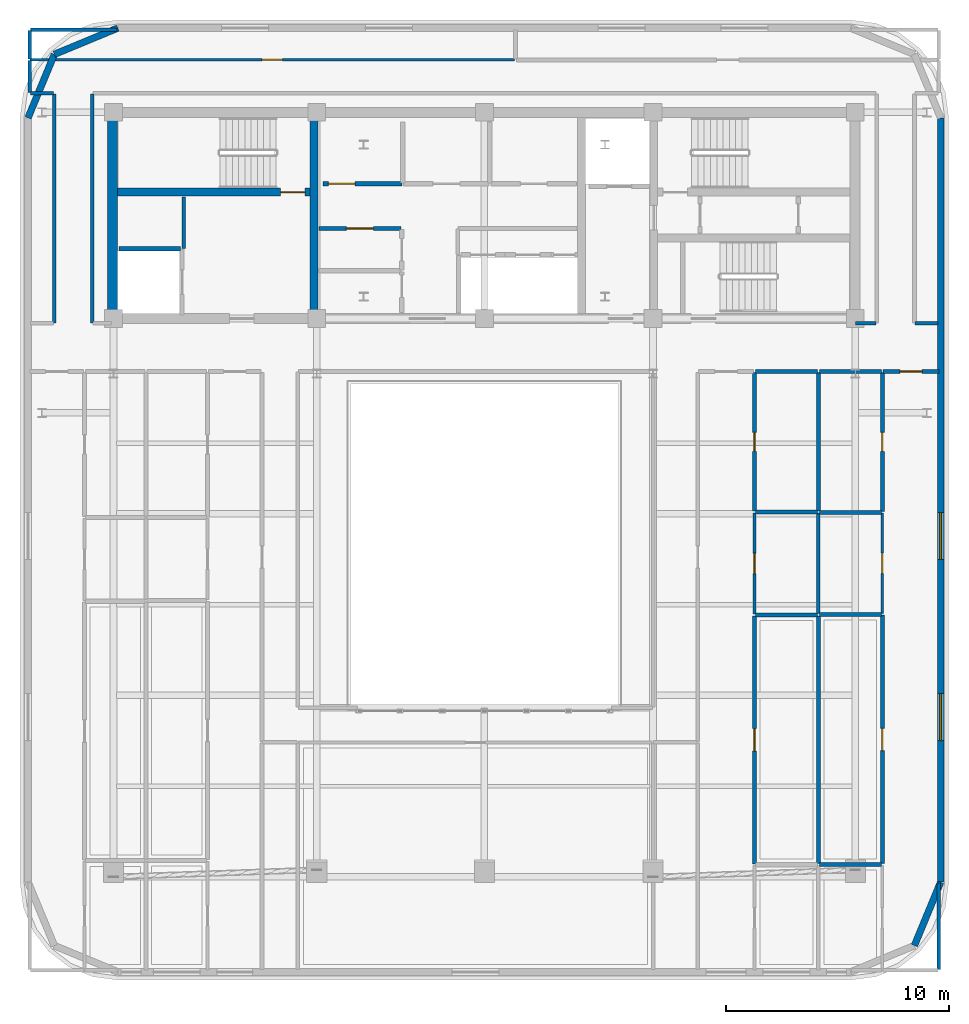
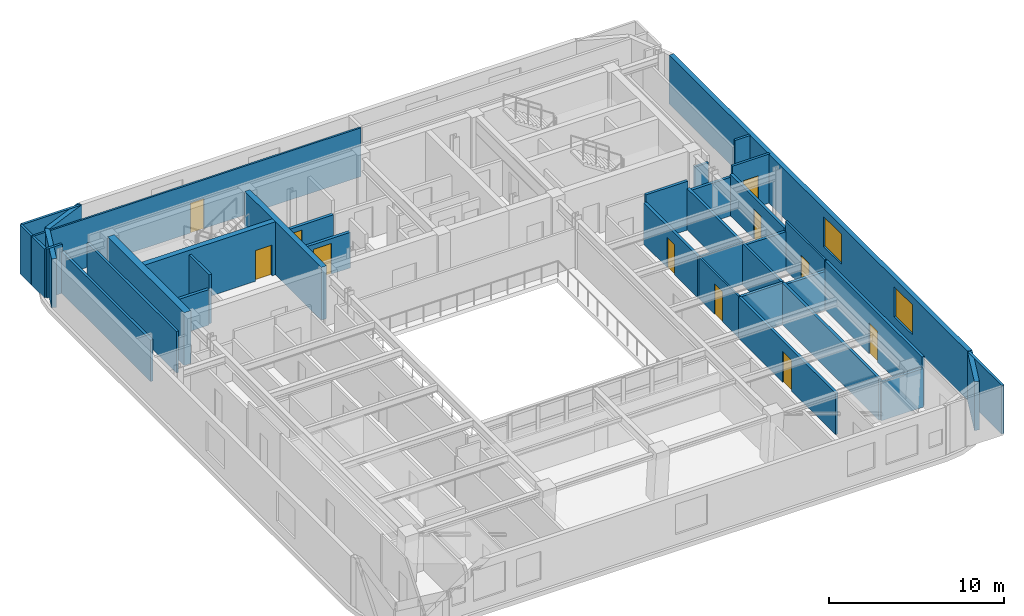
# One storey, part 8 of 13: 38 walls, 11 doors, 2 windows, 13 openings.
"""IFC4 building model written with IfcOpenShell, lengths in metres."""

from ifc_helpers import new_model, si_unit, direction, frame, frame_2d, origin, place, context, subcontext, project, spatial, rectangle, extrude, material, layer, layer_set, type_object, element, fill, save


model = new_model("IFC4")

# Units and contexts
model_context = context("Model", 3, precision=1e-05, world=origin(), true_north=direction((0.0, 1.0)))
body_context = subcontext(model_context, "Body", "Model", "MODEL_VIEW")
ifc_project = project(units=[si_unit("LENGTHUNIT", "METRE"), si_unit("AREAUNIT", "SQUARE_METRE"), si_unit("VOLUMEUNIT", "CUBIC_METRE"), si_unit("PLANEANGLEUNIT", "RADIAN"), si_unit("MASSUNIT", "GRAM", prefix="KILO")], contexts=[model_context])

# Site, building, storey
site_placement = place(None, origin())
site = spatial("IfcSite", under=ifc_project, at=site_placement, CompositionType="ELEMENT")
building_placement = place(site_placement, origin())
building = spatial("IfcBuilding", under=site, at=building_placement, Name="Zarnavel Station Tower", CompositionType="ELEMENT")
storey_placement = place(building_placement, frame((0.0, 0.0, 254.699951171875)))
storey = spatial("IfcBuildingStorey", under=building, at=storey_placement, Name="L69", CompositionType="ELEMENT", Elevation=254.699951171875)

# Wall
ifc_material_1 = material(Name="Concrete C50/60", Category="concrete")
ifc_layer_1 = layer(ifc_material_1, 0.35009765625)
ifc_layer_set_1 = layer_set([ifc_layer_1], Name="CW_350")
wall_type_1 = type_object("IfcWallType", Name="CW_350", PredefinedType="SHEAR", material=ifc_layer_set_1)
wall_1_placement = place(storey_placement, frame((21.179931640625, 28.044921875, 0.0), z_axis=(0.0, 0.0, 1.0), x_axis=(0.0, 1.0, 0.0)))
element("IfcWall", 1, at=wall_1_placement, inside=storey, type_object=wall_type_1, Name="L69 Rear Core Shear Wall DIV-W", PredefinedType="SHEAR", context=body_context, shape_type="SweptSolid", body=[
    extrude(rectangle(XDim=8.780029296875, YDim=0.35009765625, at=frame_2d((4.39013671875, 0.0))), origin(), (0.0, 0.0, 1.0), 3.699951171875),
])

# Wall, opening, door
wall_2_placement = place(storey_placement, frame((21.0048828125, 33.47998046875, 0.0), z_axis=(0.0, 0.0, 1.0), x_axis=(-1.0, 0.0, 0.0)))
wall_2 = element("IfcWall", 2, at=wall_2_placement, inside=storey, type_object=wall_type_1, Name="L69 Rear Core Shear Wall DIV-H1", PredefinedType="SHEAR", context=body_context, shape_type="SweptSolid", body=[
    extrude(rectangle(XDim=8.6298828125, YDim=0.35009765625, at=frame_2d((4.31494140625, 0.0))), origin(), (0.0, 0.0, 1.0), 3.699951171875),
])
opening_1_placement = place(wall_2_placement, frame((0.219970703125, 0.0, 0.0)))
opening_1 = element("IfcOpeningElement", 3, at=opening_1_placement, cuts=wall_2, Name="Opening FD01", PredefinedType="OPENING", context=body_context, shape_type="SweptSolid", body=[
    extrude(rectangle(XDim=1.10009765625, YDim=2.14990234375, at=frame_2d((0.550048828125, 1.074951171875))), frame((0.0, 0.18505859375, 0.0), z_axis=(0.0, -1.0, 0.0), x_axis=(1.0, 0.0, 0.0)), (0.0, 0.0, 1.0), 0.3701171875),
])
ifc_material_2 = material(Name="Painted Galvanised Steel and Hardwood Leaf", Category="steel")
door_type_1 = type_object("IfcDoorType", Name="ID_STAIR_1100", OperationType="NOTDEFINED", PredefinedType="DOOR", material=ifc_material_2)
door_1_placement = place(opening_1_placement, origin())
door_1 = element("IfcDoor", 4, at=door_1_placement, inside=storey, type_object=door_type_1, Name="L69 Stair ST1 Lobby Fire Door", OperationType="SINGLE_SWING_LEFT", OverallHeight=2.14990234375, OverallWidth=1.10009765625, PredefinedType="DOOR", context=body_context, shape_type="SweptSolid", body=[
    extrude(rectangle(XDim=1.10009765625, YDim=2.14990234375, at=frame_2d((0.550048828125, 1.074951171875))), frame((0.0, 0.02490234375, 0.0), z_axis=(0.0, -1.0, 0.0), x_axis=(1.0, 0.0, 0.0)), (0.0, 0.0, 1.0), 0.050048828125),
])
fill(opening_1, door_1)

# Walls
ifc_material_3 = material(Name="Concrete C50/60", Category="concrete")
ifc_layer_2 = layer(ifc_material_3, 0.449951171875)
ifc_layer_set_2 = layer_set([ifc_layer_2], Name="CW_450")
wall_type_2 = type_object("IfcWallType", Name="CW_450", PredefinedType="SHEAR", material=ifc_layer_set_2)
wall_3_placement = place(storey_placement, frame((12.14990234375, 28.044921875, 0.0), z_axis=(0.0, 0.0, 1.0), x_axis=(0.0, 1.0, 0.0)))
element("IfcWall", 5, at=wall_3_placement, inside=storey, type_object=wall_type_2, Name="L69 Rear Core Shear Wall W", PredefinedType="SHEAR", context=body_context, shape_type="SweptSolid", body=[
    extrude(rectangle(XDim=8.780029296875, YDim=0.449951171875, at=frame_2d((4.39013671875, 0.0))), origin(), (0.0, 0.0, 1.0), 3.699951171875),
])
ifc_material_4 = material(Name="Precast concrete C45/55 (Dark Basalt Finish)", Category="masonry")
ifc_layer_3 = layer(ifc_material_4, 0.300048828125)
ifc_layer_set_3 = layer_set([ifc_layer_3], Name="EW_BASALT_300")
wall_type_3 = type_object("IfcWallType", Name="EW_BASALT_300", PredefinedType="SOLIDWALL", material=ifc_layer_set_3)
wall_4_placement = place(storey_placement, frame((49.219970703125, 2.60009765625, 0.0), z_axis=(0.0, 0.0, 1.0), x_axis=(-0.382676475685, -0.923882414032, 0.0)))
element("IfcWall", 6, at=wall_4_placement, inside=storey, type_object=wall_type_3, Name="L69 Exterior Basalt Masonry Frame Wall 02", PredefinedType="SOLIDWALL", context=body_context, shape_type="SweptSolid", body=[
    extrude(rectangle(XDim=3.076904296875, YDim=0.300048828125, at=frame_2d((1.53857421875, 0.0))), origin(), (0.0, 0.0, 1.0), 3.420166015625),
])

# Wall, openings, windows
wall_5_placement = place(storey_placement, frame((49.219970703125, 36.800048828125, 0.0), z_axis=(0.0, 0.0, 1.0), x_axis=(0.0, -1.0, 0.0)))
wall_5 = element("IfcWall", 7, at=wall_5_placement, inside=storey, type_object=wall_type_3, Name="L69 Exterior Basalt Masonry Frame Wall 03", PredefinedType="SOLIDWALL", context=body_context, shape_type="SweptSolid", body=[
    extrude(rectangle(XDim=34.199951171875, YDim=0.300048828125, at=frame_2d((17.10009765625, 0.0))), origin(), (0.0, 0.0, 1.0), 3.420166015625),
])
opening_2_placement = place(wall_5_placement, frame((17.659912109375, 0.0, 0.75)))
opening_2 = element("IfcOpeningElement", 8, at=opening_2_placement, cuts=wall_5, Name="Opening WN05", PredefinedType="OPENING", context=body_context, shape_type="SweptSolid", body=[
    extrude(rectangle(XDim=2.10009765625, YDim=2.10009765625, at=frame_2d((1.050048828125, 1.050048828125))), frame((0.0, 0.159912109375, 0.0), z_axis=(0.0, -1.0, 0.0), x_axis=(1.0, 0.0, 0.0)), (0.0, 0.0, 1.0), 0.320068359375),
])
opening_3_placement = place(wall_5_placement, frame((25.77001953125, 0.0, 0.75)))
opening_3 = element("IfcOpeningElement", 9, at=opening_3_placement, cuts=wall_5, Name="Opening WN05", PredefinedType="OPENING", context=body_context, shape_type="SweptSolid", body=[
    extrude(rectangle(XDim=2.10009765625, YDim=2.10009765625, at=frame_2d((1.050048828125, 1.050048828125))), frame((0.0, 0.159912109375, 0.0), z_axis=(0.0, -1.0, 0.0), x_axis=(1.0, 0.0, 0.0)), (0.0, 0.0, 1.0), 0.320068359375),
])
ifc_material_5 = material(Name="Thermally Broken Black Aluminium and Low-E Dark Glass", Category="aluminium")
window_type = type_object("IfcWindowType", Name="WN_2100x2100", PartitioningType="TRIPLE_PANEL_VERTICAL", PredefinedType="WINDOW", material=ifc_material_5)
window_1_placement = place(opening_2_placement, origin())
window_1 = element("IfcWindow", 10, at=window_1_placement, inside=storey, type_object=window_type, Name="L69 Recessed Facade Window 01", OverallHeight=2.10009765625, OverallWidth=2.10009765625, PartitioningType="SINGLE_PANEL", PredefinedType="WINDOW", context=body_context, shape_type="SweptSolid", body=[
    extrude(rectangle(XDim=2.10009765625, YDim=2.10009765625, at=frame_2d((1.050048828125, 1.050048828125))), frame((0.0, 0.030029296875, 0.0), z_axis=(0.0, -1.0, 0.0), x_axis=(1.0, 0.0, 0.0)), (0.0, 0.0, 1.0), 0.06005859375),
])
fill(opening_2, window_1)
window_2_placement = place(opening_3_placement, origin())
window_2 = element("IfcWindow", 11, at=window_2_placement, inside=storey, type_object=window_type, Name="L69 Recessed Facade Window 02", OverallHeight=2.10009765625, OverallWidth=2.10009765625, PartitioningType="SINGLE_PANEL", PredefinedType="WINDOW", context=body_context, shape_type="SweptSolid", body=[
    extrude(rectangle(XDim=2.10009765625, YDim=2.10009765625, at=frame_2d((1.050048828125, 1.050048828125))), frame((0.0, 0.030029296875, 0.0), z_axis=(0.0, -1.0, 0.0), x_axis=(1.0, 0.0, 0.0)), (0.0, 0.0, 1.0), 0.06005859375),
])
fill(opening_3, window_2)

# Walls
for number, where, z_axis, x_axis, name in (
    (12, (9.557373046875, 39.642578125, 0.0), (0.0, 0.0, 1.0), (0.923870793506, 0.382704529509, 0.0), "L69 Exterior Basalt Masonry Frame Wall 07"),
    (13, (8.3798828125, 36.800048828125, 0.0), (0.0, 0.0, 1.0), (0.382704529509, 0.923870793506, 0.0), "L69 Exterior Basalt Masonry Frame Wall 08"),
):
    element("IfcWall", number, at=place(storey_placement, frame(where, z_axis=z_axis, x_axis=x_axis)), inside=storey, type_object=wall_type_3, Name=name, PredefinedType="SOLIDWALL", context=body_context, shape_type="SweptSolid", body=[
        extrude(rectangle(XDim=3.07666015625, YDim=0.300048828125, at=frame_2d((1.538330078125, 0.0))), origin(), (0.0, 0.0, 1.0), 3.420166015625),
    ])

# Wall, opening, door
ifc_material_6 = material(Name="Gypsum Twin-Stud Acoustic Fire Partition", Category="concrete")
ifc_layer_4 = layer(ifc_material_6, 0.159912109375)
ifc_layer_set_4 = layer_set([ifc_layer_4], Name="PT_DEMISE_160")
wall_type_4 = type_object("IfcWallType", Name="PT_DEMISE_160", PredefinedType="PARTITIONING", material=ifc_layer_set_4)
wall_6_placement = place(storey_placement, frame((46.64697265625, 25.449951171875, 0.0), z_axis=(0.0, 0.0, 1.0), x_axis=(1.0, 0.0, 0.0)))
wall_6 = element("IfcWall", 14, at=wall_6_placement, inside=storey, type_object=wall_type_4, Name="L69 Partition COR-S-UE2LV", PredefinedType="PARTITIONING", context=body_context, shape_type="SweptSolid", body=[
    extrude(rectangle(XDim=2.492919921875, YDim=0.159912109375, at=frame_2d((1.24658203125, 0.0))), origin(), (0.0, 0.0, 1.0), 3.420166015625),
])
opening_4_placement = place(wall_6_placement, frame((0.74658203125, 0.0, 0.0)))
opening_4 = element("IfcOpeningElement", 15, at=opening_4_placement, cuts=wall_6, Name="Opening FD02", PredefinedType="OPENING", context=body_context, shape_type="SweptSolid", body=[
    extrude(rectangle(XDim=1.0, YDim=2.14990234375, at=frame_2d((0.5, 1.074951171875))), frame((0.0, 0.08984375, 0.0), z_axis=(0.0, -1.0, 0.0), x_axis=(1.0, 0.0, 0.0)), (0.0, 0.0, 1.0), 0.179931640625),
])
ifc_material_7 = material(Name="Painted Galvanised Steel and Hardwood Leaf", Category="steel")
door_type_2 = type_object("IfcDoorType", Name="ID_ENTRY_1000", OperationType="NOTDEFINED", PredefinedType="DOOR", material=ifc_material_7)
door_2_placement = place(opening_4_placement, origin())
door_2 = element("IfcDoor", 16, at=door_2_placement, inside=storey, type_object=door_type_2, Name="L69 Door COR-S-UE2LV", OperationType="SINGLE_SWING_LEFT", OverallHeight=2.14990234375, OverallWidth=1.0, PredefinedType="DOOR", context=body_context, shape_type="SweptSolid", body=[
    extrude(rectangle(XDim=1.0, YDim=2.14990234375, at=frame_2d((0.5, 1.074951171875))), frame((0.0, 0.02490234375, 0.0), z_axis=(0.0, -1.0, 0.0), x_axis=(1.0, 0.0, 0.0)), (0.0, 0.0, 1.0), 0.050048828125),
])
fill(opening_4, door_2)

# Walls
wall_7_placement = place(storey_placement, frame((43.75, 14.6259765625, 0.0), z_axis=(0.0, 0.0, 1.0), x_axis=(0.0, 1.0, 0.0)))
element("IfcWall", 17, at=wall_7_placement, inside=storey, type_object=wall_type_4, Name="L69 Partition UE1UT-UE2UT", PredefinedType="PARTITIONING", context=body_context, shape_type="SweptSolid", body=[
    extrude(rectangle(XDim=4.484130859375, YDim=0.159912109375, at=frame_2d((2.2421875, 0.0))), origin(), (0.0, 0.0, 1.0), 2.900146484375),
])
wall_8_placement = place(storey_placement, frame((15.35009765625, 30.9599609375, 0.0), z_axis=(0.0, 0.0, 1.0), x_axis=(0.0, 1.0, 0.0)))
element("IfcWall", 18, at=wall_8_placement, inside=storey, type_object=wall_type_4, Name="L69 Enclosure Wall FFL1", PredefinedType="PARTITIONING", context=body_context, shape_type="SweptSolid", body=[
    extrude(rectangle(XDim=2.31005859375, YDim=0.159912109375, at=frame_2d((1.155029296875, 0.0))), origin(), (0.0, 0.0, 1.0), 3.420166015625),
])
wall_9_placement = place(storey_placement, frame((45.409912109375, 27.60009765625, 0.0), z_axis=(0.0, 0.0, 1.0), x_axis=(1.0, 0.0, 0.0)))
element("IfcWall", 19, at=wall_9_placement, inside=storey, type_object=wall_type_4, Name="L69 Enclosure Wall COR-S", PredefinedType="PARTITIONING", context=body_context, shape_type="SweptSolid", body=[
    extrude(rectangle(XDim=0.91015625, YDim=0.159912109375, at=frame_2d((0.455078125, 0.0))), origin(), (0.0, 0.0, 1.0), 2.489990234375),
])
wall_10_placement = place(storey_placement, frame((48.080078125, 27.60009765625, 0.0), z_axis=(0.0, 0.0, 1.0), x_axis=(1.0, 0.0, 0.0)))
element("IfcWall", 20, at=wall_10_placement, inside=storey, type_object=wall_type_4, Name="L69 Enclosure Wall COR-S", PredefinedType="PARTITIONING", context=body_context, shape_type="SweptSolid", body=[
    extrude(rectangle(XDim=1.030029296875, YDim=0.159912109375, at=frame_2d((0.51513671875, 0.0))), origin(), (0.0, 0.0, 1.0), 3.420166015625),
])
for number, where, z_axis, x_axis, name in (
    (21, (9.550048828125, 27.6298828125, 0.0), (0.0, 0.0, 1.0), (0.0, 1.0, 0.0), "L69 Enclosure Wall COR-W"),
    (22, (11.25, 27.6298828125, 0.0), (0.0, 0.0, 1.0), (0.0, 1.0, 0.0), "L69 Enclosure Wall COR-W"),
):
    element("IfcWall", number, at=place(storey_placement, frame(where, z_axis=z_axis, x_axis=x_axis)), inside=storey, type_object=wall_type_4, Name=name, PredefinedType="PARTITIONING", context=body_context, shape_type="SweptSolid", body=[
        extrude(rectangle(XDim=10.240234375, YDim=0.159912109375, at=frame_2d((5.1201171875, 0.0))), origin(), (0.0, 0.0, 1.0), 2.900146484375),
    ])
wall_11_placement = place(storey_placement, frame((8.489990234375, 37.89990234375, 0.0), z_axis=(0.0, 0.0, 1.0), x_axis=(1.0, 0.0, 0.0)))
element("IfcWall", 23, at=wall_11_placement, inside=storey, type_object=wall_type_4, Name="L69 Enclosure Wall COR-N", PredefinedType="PARTITIONING", context=body_context, shape_type="SweptSolid", body=[
    extrude(rectangle(XDim=1.030029296875, YDim=0.159912109375, at=frame_2d((0.51513671875, 0.0))), origin(), (0.0, 0.0, 1.0), 3.420166015625),
])
wall_12_placement = place(storey_placement, frame((8.4599609375, 37.929931640625, 0.0), z_axis=(0.0, 0.0, 1.0), x_axis=(0.0, 1.0, 0.0)))
element("IfcWall", 24, at=wall_12_placement, inside=storey, type_object=wall_type_4, Name="L69 Enclosure Wall COR-N", PredefinedType="PARTITIONING", context=body_context, shape_type="SweptSolid", body=[
    extrude(rectangle(XDim=1.440185546875, YDim=0.159912109375, at=frame_2d((0.72021484375, 0.0))), origin(), (0.0, 0.0, 1.0), 3.420166015625),
])
wall_13_placement = place(storey_placement, frame((8.489990234375, 40.739990234375, 0.0), z_axis=(0.0, 0.0, 1.0), x_axis=(1.0, 0.0, 0.0)))
element("IfcWall", 25, at=wall_13_placement, inside=storey, type_object=wall_type_4, Name="L69 Enclosure Wall NLOU", PredefinedType="PARTITIONING", context=body_context, shape_type="SweptSolid", body=[
    extrude(rectangle(XDim=3.880126953125, YDim=0.159912109375, at=frame_2d((1.93994140625, 0.0))), origin(), (0.0, 0.0, 1.0), 3.420166015625),
])
wall_14_placement = place(storey_placement, frame((8.4599609375, 39.429931640625, 0.0), z_axis=(0.0, 0.0, 1.0), x_axis=(0.0, 1.0, 0.0)))
element("IfcWall", 26, at=wall_14_placement, inside=storey, type_object=wall_type_4, Name="L69 Enclosure Wall NLOU", PredefinedType="PARTITIONING", context=body_context, shape_type="SweptSolid", body=[
    extrude(rectangle(XDim=1.280029296875, YDim=0.159912109375, at=frame_2d((0.64013671875, 0.0))), origin(), (0.0, 0.0, 1.0), 3.420166015625),
])
wall_15_placement = place(storey_placement, frame((49.139892578125, -1.31005859375, 0.0), z_axis=(0.0, 0.0, 1.0), x_axis=(0.0, 1.0, 0.0)))
element("IfcWall", 27, at=wall_15_placement, inside=storey, type_object=wall_type_4, Name="L69 Enclosure Wall UE2LV", PredefinedType="PARTITIONING", context=body_context, shape_type="SweptSolid", body=[
    extrude(rectangle(XDim=3.880126953125, YDim=0.159912109375, at=frame_2d((1.93994140625, 0.0))), origin(), (0.0, 0.0, 1.0), 3.420166015625),
])

# Wall, opening, door
ifc_material_8 = material(Name="Gypsum Metal-Stud Interior Partition", Category="concrete")
ifc_layer_5 = layer(ifc_material_8, 0.1201171875)
ifc_layer_set_5 = layer_set([ifc_layer_5], Name="PT_ROOM_120")
wall_type_5 = type_object("IfcWallType", Name="PT_ROOM_120", PredefinedType="PARTITIONING", material=ifc_layer_set_5)
wall_16_placement = place(storey_placement, frame((8.4599609375, 39.39990234375, 0.0), z_axis=(0.0, 0.0, 1.0), x_axis=(1.0, 0.0, 0.0)))
wall_16 = element("IfcWall", 28, at=wall_16_placement, inside=storey, type_object=wall_type_5, Name="L69 Partition COR-N-NLOU", PredefinedType="PARTITIONING", context=body_context, shape_type="SweptSolid", body=[
    extrude(rectangle(XDim=21.699951171875, YDim=0.1201171875, at=frame_2d((10.85009765625, 0.0))), origin(), (0.0, 0.0, 1.0), 3.420166015625),
])
opening_5_placement = place(wall_16_placement, frame((10.39990234375, 0.0, 0.0)))
opening_5 = element("IfcOpeningElement", 29, at=opening_5_placement, cuts=wall_16, Name="Opening ID01", PredefinedType="OPENING", context=body_context, shape_type="SweptSolid", body=[
    extrude(rectangle(XDim=0.89990234375, YDim=2.10009765625, at=frame_2d((0.449951171875, 1.050048828125))), frame((0.0, 0.070068359375, 0.0), z_axis=(0.0, -1.0, 0.0), x_axis=(1.0, 0.0, 0.0)), (0.0, 0.0, 1.0), 0.14013671875),
])
ifc_material_9 = material(Name="Painted Galvanised Steel and Hardwood Leaf", Category="steel")
door_type_3 = type_object("IfcDoorType", Name="ID_ROOM_900", OperationType="NOTDEFINED", PredefinedType="DOOR", material=ifc_material_9)
door_3_placement = place(opening_5_placement, origin())
door_3 = element("IfcDoor", 30, at=door_3_placement, inside=storey, type_object=door_type_3, Name="L69 Door COR-N-NLOU", OperationType="SINGLE_SWING_LEFT", OverallHeight=2.10009765625, OverallWidth=0.89990234375, PredefinedType="DOOR", context=body_context, shape_type="SweptSolid", body=[
    extrude(rectangle(XDim=0.89990234375, YDim=2.10009765625, at=frame_2d((0.449951171875, 1.050048828125))), frame((0.0, 0.02490234375, 0.0), z_axis=(0.0, -1.0, 0.0), x_axis=(1.0, 0.0, 0.0)), (0.0, 0.0, 1.0), 0.050048828125),
])
fill(opening_5, door_3)

wall_17_placement = place(storey_placement, frame((40.887939453125, 14.597900390625, 0.0), z_axis=(0.0, 0.0, 1.0), x_axis=(0.0, 1.0, 0.0)))
wall_17 = element("IfcWall", 31, at=wall_17_placement, inside=storey, type_object=wall_type_5, Name="L69 Partition UE1LV-UE1UT", PredefinedType="PARTITIONING", context=body_context, shape_type="SweptSolid", body=[
    extrude(rectangle(XDim=4.523193359375, YDim=0.1201171875, at=frame_2d((2.26171875, 0.0))), origin(), (0.0, 0.0, 1.0), 2.900146484375),
])
opening_6_placement = place(wall_17_placement, frame((1.8115234375, 0.0, 0.0)))
opening_6 = element("IfcOpeningElement", 32, at=opening_6_placement, cuts=wall_17, Name="Opening ID01", PredefinedType="OPENING", context=body_context, shape_type="SweptSolid", body=[
    extrude(rectangle(XDim=0.89990234375, YDim=2.10009765625, at=frame_2d((0.449951171875, 1.050048828125))), frame((0.0, 0.070068359375, 0.0), z_axis=(0.0, -1.0, 0.0), x_axis=(1.0, 0.0, 0.0)), (0.0, 0.0, 1.0), 0.14013671875),
])
door_4_placement = place(opening_6_placement, origin())
door_4 = element("IfcDoor", 33, at=door_4_placement, inside=storey, type_object=door_type_3, Name="L69 Door UE1LV-UE1UT", OperationType="SINGLE_SWING_LEFT", OverallHeight=2.10009765625, OverallWidth=0.89990234375, PredefinedType="DOOR", context=body_context, shape_type="SweptSolid", body=[
    extrude(rectangle(XDim=0.89990234375, YDim=2.10009765625, at=frame_2d((0.449951171875, 1.050048828125))), frame((0.0, 0.02490234375, 0.0), z_axis=(0.0, -1.0, 0.0), x_axis=(1.0, 0.0, 0.0)), (0.0, 0.0, 1.0), 0.050048828125),
])
fill(opening_6, door_4)

wall_18_placement = place(storey_placement, frame((46.60693359375, 14.6259765625, 0.0), z_axis=(0.0, 0.0, 1.0), x_axis=(0.0, 1.0, 0.0)))
wall_18 = element("IfcWall", 34, at=wall_18_placement, inside=storey, type_object=wall_type_5, Name="L69 Partition UE2LV-UE2UT", PredefinedType="PARTITIONING", context=body_context, shape_type="SweptSolid", body=[
    extrude(rectangle(XDim=4.484130859375, YDim=0.1201171875, at=frame_2d((2.2421875, 0.0))), origin(), (0.0, 0.0, 1.0), 3.420166015625),
])
opening_7_placement = place(wall_18_placement, frame((1.7919921875, 0.0, 0.0)))
opening_7 = element("IfcOpeningElement", 35, at=opening_7_placement, cuts=wall_18, Name="Opening ID01", PredefinedType="OPENING", context=body_context, shape_type="SweptSolid", body=[
    extrude(rectangle(XDim=0.89990234375, YDim=2.10009765625, at=frame_2d((0.449951171875, 1.050048828125))), frame((0.0, 0.070068359375, 0.0), z_axis=(0.0, -1.0, 0.0), x_axis=(1.0, 0.0, 0.0)), (0.0, 0.0, 1.0), 0.14013671875),
])
door_5_placement = place(opening_7_placement, origin())
door_5 = element("IfcDoor", 36, at=door_5_placement, inside=storey, type_object=door_type_3, Name="L69 Door UE2LV-UE2UT", OperationType="SINGLE_SWING_LEFT", OverallHeight=2.10009765625, OverallWidth=0.89990234375, PredefinedType="DOOR", context=body_context, shape_type="SweptSolid", body=[
    extrude(rectangle(XDim=0.89990234375, YDim=2.10009765625, at=frame_2d((0.449951171875, 1.050048828125))), frame((0.0, 0.02490234375, 0.0), z_axis=(0.0, -1.0, 0.0), x_axis=(1.0, 0.0, 0.0)), (0.0, 0.0, 1.0), 0.050048828125),
])
fill(opening_7, door_5)

# Wall
ifc_material_10 = material(Name="Precast concrete C45/55 (Fire Shaft Blockwork)", Category="masonry")
ifc_layer_6 = layer(ifc_material_10, 0.199951171875)
ifc_layer_set_6 = layer_set([ifc_layer_6], Name="PT_SHAFT_200")
wall_type_6 = type_object("IfcWallType", Name="PT_SHAFT_200", PredefinedType="PARTITIONING", material=ifc_layer_set_6)
wall_19_placement = place(storey_placement, frame((12.449951171875, 30.949951171875, 0.0), z_axis=(0.0, 0.0, 1.0), x_axis=(1.0, 0.0, 0.0)))
element("IfcWall", 37, at=wall_19_placement, inside=storey, type_object=wall_type_6, Name="L69 Lift FFL-01 North Shaft Wall", PredefinedType="PARTITIONING", context=body_context, shape_type="SweptSolid", body=[
    extrude(rectangle(XDim=2.75, YDim=0.199951171875, at=frame_2d((1.375, 0.0))), origin(), (0.0, 0.0, 1.0), 2.489990234375),
])

# Wall, opening, door
wall_20_placement = place(storey_placement, frame((21.39990234375, 31.85009765625, 0.0), z_axis=(0.0, 0.0, 1.0), x_axis=(1.0, 0.0, 0.0)))
wall_20 = element("IfcWall", 38, at=wall_20_placement, inside=storey, type_object=wall_type_6, Name="L69 Partition LLOB-CS2", PredefinedType="PARTITIONING", context=body_context, shape_type="SweptSolid", body=[
    extrude(rectangle(XDim=3.66015625, YDim=0.199951171875, at=frame_2d((1.830078125, 0.0))), origin(), (0.0, 0.0, 1.0), 2.489990234375),
])
opening_8_placement = place(wall_20_placement, frame((1.22998046875, 0.0, 0.0)))
opening_8 = element("IfcOpeningElement", 39, at=opening_8_placement, cuts=wall_20, Name="Opening FD03", PredefinedType="OPENING", context=body_context, shape_type="SweptSolid", body=[
    extrude(rectangle(XDim=1.199951171875, YDim=2.14990234375, at=frame_2d((0.60009765625, 1.074951171875))), frame((0.0, 0.10986328125, 0.0), z_axis=(0.0, -1.0, 0.0), x_axis=(1.0, 0.0, 0.0)), (0.0, 0.0, 1.0), 0.219970703125),
])
ifc_material_11 = material(Name="Painted Galvanised Steel and Hardwood Leaf", Category="steel")
door_type_4 = type_object("IfcDoorType", Name="ID_PLANT_1200", OperationType="NOTDEFINED", PredefinedType="DOOR", material=ifc_material_11)
door_6_placement = place(opening_8_placement, origin())
door_6 = element("IfcDoor", 40, at=door_6_placement, inside=storey, type_object=door_type_4, Name="L69 Door LLOB-CS2", OperationType="SINGLE_SWING_RIGHT", OverallHeight=2.14990234375, OverallWidth=1.199951171875, PredefinedType="DOOR", context=body_context, shape_type="SweptSolid", body=[
    extrude(rectangle(XDim=1.199951171875, YDim=2.14990234375, at=frame_2d((0.60009765625, 1.074951171875))), frame((0.0, 0.02490234375, 0.0), z_axis=(0.0, -1.0, 0.0), x_axis=(1.0, 0.0, 0.0)), (0.0, 0.0, 1.0), 0.050048828125),
])
fill(opening_8, door_6)

wall_21_placement = place(storey_placement, frame((21.590087890625, 33.85009765625, 0.0), z_axis=(0.0, 0.0, 1.0), x_axis=(1.0, 0.0, 0.0)))
wall_21 = element("IfcWall", 41, at=wall_21_placement, inside=storey, type_object=wall_type_6, Name="L69 Partition LLOB-FB2A", PredefinedType="PARTITIONING", context=body_context, shape_type="SweptSolid", body=[
    extrude(rectangle(XDim=3.52001953125, YDim=0.199951171875, at=frame_2d((1.760009765625, 0.0))), origin(), (0.0, 0.0, 1.0), 2.489990234375),
])
opening_9_placement = place(wall_21_placement, frame((0.22509765625, 0.0, 0.0)))
opening_9 = element("IfcOpeningElement", 42, at=opening_9_placement, cuts=wall_21, Name="Opening FD03", PredefinedType="OPENING", context=body_context, shape_type="SweptSolid", body=[
    extrude(rectangle(XDim=1.199951171875, YDim=2.14990234375, at=frame_2d((0.60009765625, 1.074951171875))), frame((0.0, 0.10986328125, 0.0), z_axis=(0.0, -1.0, 0.0), x_axis=(1.0, 0.0, 0.0)), (0.0, 0.0, 1.0), 0.219970703125),
])
door_7_placement = place(opening_9_placement, origin())
door_7 = element("IfcDoor", 43, at=door_7_placement, inside=storey, type_object=door_type_4, Name="L69 Door LLOB-FB2A", OperationType="SINGLE_SWING_LEFT", OverallHeight=2.14990234375, OverallWidth=1.199951171875, PredefinedType="DOOR", context=body_context, shape_type="SweptSolid", body=[
    extrude(rectangle(XDim=1.199951171875, YDim=2.14990234375, at=frame_2d((0.60009765625, 1.074951171875))), frame((0.0, 0.02490234375, 0.0), z_axis=(0.0, -1.0, 0.0), x_axis=(1.0, 0.0, 0.0)), (0.0, 0.0, 1.0), 0.050048828125),
])
fill(opening_9, door_7)

# Walls
ifc_material_12 = material(Name="Moisture-Resistant Plumbing Chase Wall", Category="concrete")
ifc_layer_7 = layer(ifc_material_12, 0.179931640625)
ifc_layer_set_7 = layer_set([ifc_layer_7], Name="PW_PLUMB_180")
wall_type_7 = type_object("IfcWallType", Name="PW_PLUMB_180", PredefinedType="PLUMBINGWALL", material=ifc_layer_set_7)
wall_22_placement = place(storey_placement, frame((40.927978515625, 25.449951171875, 0.0), z_axis=(0.0, 0.0, 1.0), x_axis=(1.0, 0.0, 0.0)))
element("IfcWall", 44, at=wall_22_placement, inside=storey, type_object=wall_type_7, Name="L69 Partition COR-S-UE1BA", PredefinedType="PLUMBINGWALL", context=body_context, shape_type="SweptSolid", body=[
    extrude(rectangle(XDim=2.781982421875, YDim=0.179931640625, at=frame_2d((1.39111328125, 0.0))), origin(), (0.0, 0.0, 1.0), 3.420166015625),
])
wall_23_placement = place(storey_placement, frame((43.7900390625, 25.449951171875, 0.0), z_axis=(0.0, 0.0, 1.0), x_axis=(1.0, 0.0, 0.0)))
element("IfcWall", 45, at=wall_23_placement, inside=storey, type_object=wall_type_7, Name="L69 Partition COR-S-UE2BA", PredefinedType="PLUMBINGWALL", context=body_context, shape_type="SweptSolid", body=[
    extrude(rectangle(XDim=2.77685546875, YDim=0.179931640625, at=frame_2d((1.388427734375, 0.0))), origin(), (0.0, 0.0, 1.0), 2.699951171875),
])

# Wall, opening, door
wall_24_placement = place(storey_placement, frame((40.887939453125, 3.4169921875, 0.0), z_axis=(0.0, 0.0, 1.0), x_axis=(0.0, 1.0, 0.0)))
wall_24 = element("IfcWall", 46, at=wall_24_placement, inside=storey, type_object=wall_type_7, Name="L69 Partition UE1LV-UE1KT", PredefinedType="PLUMBINGWALL", context=body_context, shape_type="SweptSolid", body=[
    extrude(rectangle(XDim=11.10107421875, YDim=0.179931640625, at=frame_2d((5.550537109375, 0.0))), origin(), (0.0, 0.0, 1.0), 2.900146484375),
])
opening_10_placement = place(wall_24_placement, frame((5.050537109375, 0.0, 0.0)))
opening_10 = element("IfcOpeningElement", 47, at=opening_10_placement, cuts=wall_24, Name="Opening FD02", PredefinedType="OPENING", context=body_context, shape_type="SweptSolid", body=[
    extrude(rectangle(XDim=1.0, YDim=2.14990234375, at=frame_2d((0.5, 1.074951171875))), frame((0.0, 0.099853515625, 0.0), z_axis=(0.0, -1.0, 0.0), x_axis=(1.0, 0.0, 0.0)), (0.0, 0.0, 1.0), 0.199951171875),
])
door_8_placement = place(opening_10_placement, origin())
door_8 = element("IfcDoor", 48, at=door_8_placement, inside=storey, type_object=door_type_2, Name="L69 Door UE1LV-UE1KT", OperationType="SINGLE_SWING_RIGHT", OverallHeight=2.14990234375, OverallWidth=1.0, PredefinedType="DOOR", context=body_context, shape_type="SweptSolid", body=[
    extrude(rectangle(XDim=1.0, YDim=2.14990234375, at=frame_2d((0.5, 1.074951171875))), frame((0.0, 0.02490234375, 0.0), z_axis=(0.0, -1.0, 0.0), x_axis=(1.0, 0.0, 0.0)), (0.0, 0.0, 1.0), 0.050048828125),
])
fill(opening_10, door_8)

wall_25_placement = place(storey_placement, frame((40.887939453125, 19.200927734375, 0.0), z_axis=(0.0, 0.0, 1.0), x_axis=(0.0, 1.0, 0.0)))
wall_25 = element("IfcWall", 49, at=wall_25_placement, inside=storey, type_object=wall_type_7, Name="L69 Partition UE1LV-UE1BA", PredefinedType="PLUMBINGWALL", context=body_context, shape_type="SweptSolid", body=[
    extrude(rectangle(XDim=6.208984375, YDim=0.179931640625, at=frame_2d((3.1044921875, 0.0))), origin(), (0.0, 0.0, 1.0), 2.900146484375),
])
opening_11_placement = place(wall_25_placement, frame((2.679443359375, 0.0, 0.0)))
opening_11 = element("IfcOpeningElement", 50, at=opening_11_placement, cuts=wall_25, Name="Opening ID02", PredefinedType="OPENING", context=body_context, shape_type="SweptSolid", body=[
    extrude(rectangle(XDim=0.85009765625, YDim=2.10009765625, at=frame_2d((0.425048828125, 1.050048828125))), frame((0.0, 0.099853515625, 0.0), z_axis=(0.0, -1.0, 0.0), x_axis=(1.0, 0.0, 0.0)), (0.0, 0.0, 1.0), 0.199951171875),
])
ifc_material_13 = material(Name="Painted Galvanised Steel and Hardwood Leaf", Category="steel")
door_type_5 = type_object("IfcDoorType", Name="ID_BATH_850", OperationType="NOTDEFINED", PredefinedType="DOOR", material=ifc_material_13)
door_9_placement = place(opening_11_placement, origin())
door_9 = element("IfcDoor", 51, at=door_9_placement, inside=storey, type_object=door_type_5, Name="L69 Door UE1LV-UE1BA", OperationType="SINGLE_SWING_RIGHT", OverallHeight=2.10009765625, OverallWidth=0.85009765625, PredefinedType="DOOR", context=body_context, shape_type="SweptSolid", body=[
    extrude(rectangle(XDim=0.85009765625, YDim=2.10009765625, at=frame_2d((0.425048828125, 1.050048828125))), frame((0.0, 0.02490234375, 0.0), z_axis=(0.0, -1.0, 0.0), x_axis=(1.0, 0.0, 0.0)), (0.0, 0.0, 1.0), 0.050048828125),
])
fill(opening_11, door_9)

# Walls
wall_26_placement = place(storey_placement, frame((40.927978515625, 14.55810546875, 0.0), z_axis=(0.0, 0.0, 1.0), x_axis=(1.0, 0.0, 0.0)))
element("IfcWall", 52, at=wall_26_placement, inside=storey, type_object=wall_type_7, Name="L69 Partition UE1KT-UE1UT", PredefinedType="PLUMBINGWALL", context=body_context, shape_type="SweptSolid", body=[
    extrude(rectangle(XDim=2.781982421875, YDim=0.179931640625, at=frame_2d((1.39111328125, 0.0))), origin(), (0.0, 0.0, 1.0), 2.900146484375),
])
wall_27_placement = place(storey_placement, frame((43.75, 3.425048828125, 0.0), z_axis=(0.0, 0.0, 1.0), x_axis=(0.0, 1.0, 0.0)))
element("IfcWall", 53, at=wall_27_placement, inside=storey, type_object=wall_type_7, Name="L69 Partition UE1KT-UE2KT", PredefinedType="PLUMBINGWALL", context=body_context, shape_type="SweptSolid", body=[
    extrude(rectangle(XDim=11.093017578125, YDim=0.179931640625, at=frame_2d((5.54638671875, 0.0))), origin(), (0.0, 0.0, 1.0), 2.900146484375),
])
wall_28_placement = place(storey_placement, frame((40.927978515625, 19.160888671875, 0.0), z_axis=(0.0, 0.0, 1.0), x_axis=(1.0, 0.0, 0.0)))
element("IfcWall", 54, at=wall_28_placement, inside=storey, type_object=wall_type_7, Name="L69 Partition UE1UT-UE1BA", PredefinedType="PLUMBINGWALL", context=body_context, shape_type="SweptSolid", body=[
    extrude(rectangle(XDim=2.781982421875, YDim=0.179931640625, at=frame_2d((1.39111328125, 0.0))), origin(), (0.0, 0.0, 1.0), 2.91015625),
])
wall_29_placement = place(storey_placement, frame((43.75, 19.200927734375, 0.0), z_axis=(0.0, 0.0, 1.0), x_axis=(0.0, 1.0, 0.0)))
element("IfcWall", 55, at=wall_29_placement, inside=storey, type_object=wall_type_7, Name="L69 Partition UE1BA-UE2BA", PredefinedType="PLUMBINGWALL", context=body_context, shape_type="SweptSolid", body=[
    extrude(rectangle(XDim=6.208984375, YDim=0.179931640625, at=frame_2d((3.1044921875, 0.0))), origin(), (0.0, 0.0, 1.0), 2.900146484375),
])

# Wall, opening, door
wall_30_placement = place(storey_placement, frame((46.60693359375, 3.425048828125, 0.0), z_axis=(0.0, 0.0, 1.0), x_axis=(0.0, 1.0, 0.0)))
wall_30 = element("IfcWall", 56, at=wall_30_placement, inside=storey, type_object=wall_type_7, Name="L69 Partition UE2LV-UE2KT", PredefinedType="PLUMBINGWALL", context=body_context, shape_type="SweptSolid", body=[
    extrude(rectangle(XDim=11.120849609375, YDim=0.179931640625, at=frame_2d((5.560546875, 0.0))), origin(), (0.0, 0.0, 1.0), 3.420166015625),
])
opening_12_placement = place(wall_30_placement, frame((5.060546875, 0.0, 0.0)))
opening_12 = element("IfcOpeningElement", 57, at=opening_12_placement, cuts=wall_30, Name="Opening FD02", PredefinedType="OPENING", context=body_context, shape_type="SweptSolid", body=[
    extrude(rectangle(XDim=1.0, YDim=2.14990234375, at=frame_2d((0.5, 1.074951171875))), frame((0.0, 0.099853515625, 0.0), z_axis=(0.0, -1.0, 0.0), x_axis=(1.0, 0.0, 0.0)), (0.0, 0.0, 1.0), 0.199951171875),
])
door_10_placement = place(opening_12_placement, origin())
door_10 = element("IfcDoor", 58, at=door_10_placement, inside=storey, type_object=door_type_2, Name="L69 Door UE2LV-UE2KT", OperationType="SINGLE_SWING_RIGHT", OverallHeight=2.14990234375, OverallWidth=1.0, PredefinedType="DOOR", context=body_context, shape_type="SweptSolid", body=[
    extrude(rectangle(XDim=1.0, YDim=2.14990234375, at=frame_2d((0.5, 1.074951171875))), frame((0.0, 0.02490234375, 0.0), z_axis=(0.0, -1.0, 0.0), x_axis=(1.0, 0.0, 0.0)), (0.0, 0.0, 1.0), 0.050048828125),
])
fill(opening_12, door_10)

wall_31_placement = place(storey_placement, frame((46.60693359375, 19.18994140625, 0.0), z_axis=(0.0, 0.0, 1.0), x_axis=(0.0, 1.0, 0.0)))
wall_31 = element("IfcWall", 59, at=wall_31_placement, inside=storey, type_object=wall_type_7, Name="L69 Partition UE2LV-UE2BA", PredefinedType="PLUMBINGWALL", context=body_context, shape_type="SweptSolid", body=[
    extrude(rectangle(XDim=6.219970703125, YDim=0.179931640625, at=frame_2d((3.10986328125, 0.0))), origin(), (0.0, 0.0, 1.0), 2.900146484375),
])
opening_13_placement = place(wall_31_placement, frame((2.68505859375, 0.0, 0.0)))
opening_13 = element("IfcOpeningElement", 60, at=opening_13_placement, cuts=wall_31, Name="Opening ID02", PredefinedType="OPENING", context=body_context, shape_type="SweptSolid", body=[
    extrude(rectangle(XDim=0.85009765625, YDim=2.10009765625, at=frame_2d((0.425048828125, 1.050048828125))), frame((0.0, 0.099853515625, 0.0), z_axis=(0.0, -1.0, 0.0), x_axis=(1.0, 0.0, 0.0)), (0.0, 0.0, 1.0), 0.199951171875),
])
door_11_placement = place(opening_13_placement, origin())
door_11 = element("IfcDoor", 61, at=door_11_placement, inside=storey, type_object=door_type_5, Name="L69 Door UE2LV-UE2BA", OperationType="SINGLE_SWING_RIGHT", OverallHeight=2.10009765625, OverallWidth=0.85009765625, PredefinedType="DOOR", context=body_context, shape_type="SweptSolid", body=[
    extrude(rectangle(XDim=0.85009765625, YDim=2.10009765625, at=frame_2d((0.425048828125, 1.050048828125))), frame((0.0, 0.02490234375, 0.0), z_axis=(0.0, -1.0, 0.0), x_axis=(1.0, 0.0, 0.0)), (0.0, 0.0, 1.0), 0.050048828125),
])
fill(opening_13, door_11)

# Walls
for number, where, z_axis, x_axis, name in (
    (62, (43.7900390625, 3.385009765625, 0.0), (0.0, 0.0, 1.0), (1.0, 0.0, 0.0), "L69 Partition UE2B1-UE2KT"),
    (63, (43.7900390625, 14.5859375, 0.0), (0.0, 0.0, 1.0), (1.0, 0.0, 0.0), "L69 Partition UE2KT-UE2UT"),
    (64, (43.7900390625, 19.14990234375, 0.0), (0.0, 0.0, 1.0), (1.0, 0.0, 0.0), "L69 Partition UE2UT-UE2BA"),
):
    element("IfcWall", number, at=place(storey_placement, frame(where, z_axis=z_axis, x_axis=x_axis)), inside=storey, type_object=wall_type_7, Name=name, PredefinedType="PLUMBINGWALL", context=body_context, shape_type="SweptSolid", body=[
        extrude(rectangle(XDim=2.77685546875, YDim=0.179931640625, at=frame_2d((1.388427734375, 0.0))), origin(), (0.0, 0.0, 1.0), 2.699951171875),
    ])

save(model, "model.ifc")
